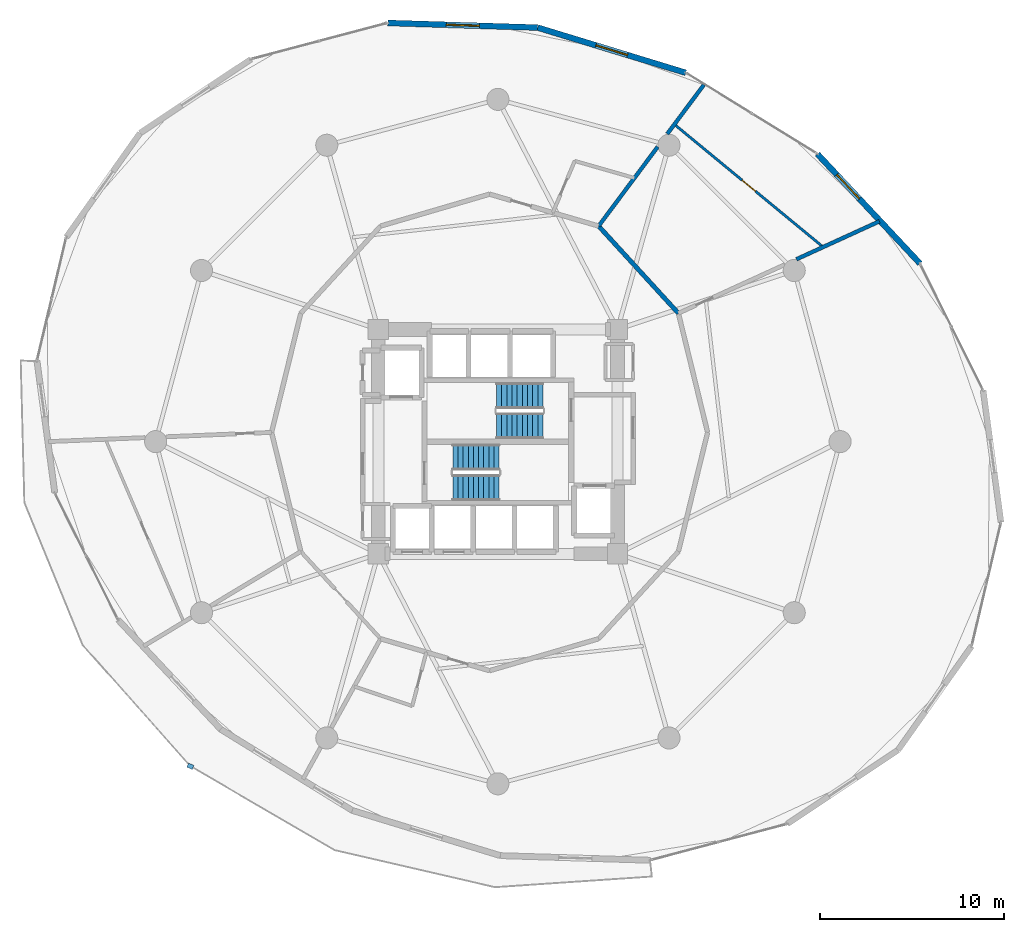
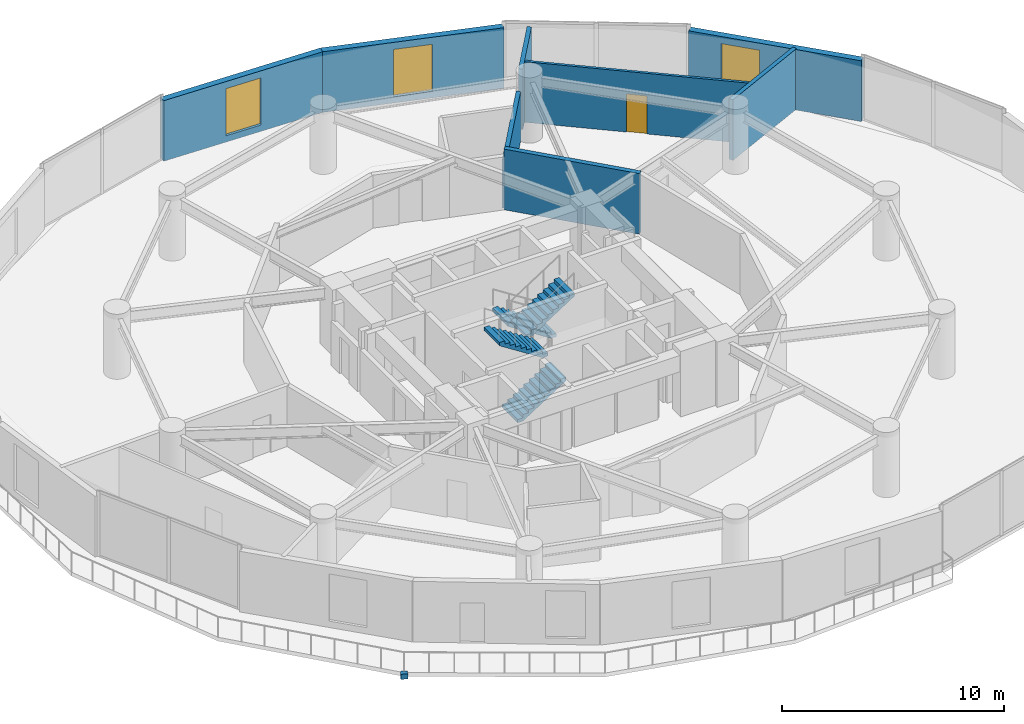
# One storey, part 21 of 24: 8 walls, 4 stair flights, 3 windows, 1 discrete accessory, 1 door, 4 openings, 2 elements without a shape of their own.
"""IFC4 building model written with IfcOpenShell, lengths in metres."""

import ifcopenshell
import ifcopenshell.guid

model = None  # the IFC model being written
_history = None  # IfcOwnerHistory: only IFC2X3 demands one
_inside = {}  # id of a spatial element -> (the spatial element, [elements in it])
_under = {}  # id of a project, library or spatial element -> (it, [spatial elements below it])
_declared = {}  # id of a project -> (the project, [libraries it declares])
_typed = {}  # id of a type object -> (the type object, [elements of that type])
_made_of = {}  # id of a material, layer set ... -> (it, [elements and type objects made of it])


def new_model(schema):
    """Start an empty IFC model of exactly this schema.

    Asked for "IFC4X3", IfcOpenShell would pick the latest addendum, in which some entities
    have other attributes; the version numbers below select the first issue.
    IFC2X3 requires an IfcOwnerHistory on every rooted entity: one is made here for all.
    """
    global model, _history
    if schema == "IFC4X3":
        model = ifcopenshell.file(schema_version=(4, 3, 0, 0))
    else:
        model = ifcopenshell.file(schema=schema)
    _inside.clear()
    _under.clear()
    _declared.clear()
    _typed.clear()
    _made_of.clear()
    _history = None
    if model.schema == "IFC2X3":
        org = make("IfcOrganization", Name="unknown")
        user = make(
            "IfcPersonAndOrganization",
            ThePerson=make("IfcPerson", FamilyName="unknown"),
            TheOrganization=org,
        )
        app = make(
            "IfcApplication",
            ApplicationDeveloper=org,
            Version="unknown",
            ApplicationFullName="unknown",
            ApplicationIdentifier="unknown",
        )
        _history = make(
            "IfcOwnerHistory",
            OwningUser=user,
            OwningApplication=app,
            ChangeAction="ADDED",
            CreationDate=0,
        )
    return model


def make(cls, **values):
    """One entity of the class cls with the attributes given. An attribute that is None is left unset."""
    return model.create_entity(
        cls, **{name: value for name, value in values.items() if value is not None}
    )


def rooted(cls, **values):
    """An entity with a GlobalId (a new one), such as an element, a storey or a relation."""
    return make(cls, GlobalId=ifcopenshell.guid.new(), OwnerHistory=_history, **values)


def si_unit(unit_type, name, prefix=None):
    """IfcSIUnit, for example si_unit("LENGTHUNIT", "METRE", prefix="MILLI")."""
    return make("IfcSIUnit", UnitType=unit_type, Prefix=prefix, Name=name)


def assignment(units):
    """IfcUnitAssignment: the units of a project."""
    return None if units is None else make("IfcUnitAssignment", Units=units)


def point(xyz):
    """IfcCartesianPoint."""
    return None if xyz is None else make("IfcCartesianPoint", Coordinates=xyz)


def direction(xyz):
    """IfcDirection."""
    return None if xyz is None else make("IfcDirection", DirectionRatios=xyz)


def frame(location, z_axis=None, x_axis=None):
    """IfcAxis2Placement3D, a coordinate frame: its origin and axes. An axis left out is left unset."""
    return make(
        "IfcAxis2Placement3D",
        Location=point(location),
        Axis=direction(z_axis),
        RefDirection=direction(x_axis),
    )


def frame_2d(location, x_axis=None):
    """IfcAxis2Placement2D, a coordinate frame in the plane: its origin and x axis."""
    return make(
        "IfcAxis2Placement2D", Location=point(location), RefDirection=direction(x_axis)
    )


def origin():
    """The frame at (0, 0, 0) with its axes left unset."""
    return frame((0.0, 0.0, 0.0))


def origin_2d():
    """The frame at (0, 0) in the plane with its x axis left unset."""
    return frame_2d((0.0, 0.0))


def place(relative_to, where):
    """IfcLocalPlacement: puts the frame where relative to a parent placement (None: the world)."""
    return make(
        "IfcLocalPlacement", PlacementRelTo=relative_to, RelativePlacement=where
    )


def context(
    kind, dimensions, precision=None, world=None, true_north=None, identifier=None
):
    """IfcGeometricRepresentationContext, for example the 3D "Model" context."""
    return make(
        "IfcGeometricRepresentationContext",
        ContextIdentifier=identifier,
        ContextType=kind,
        CoordinateSpaceDimension=dimensions,
        Precision=precision,
        WorldCoordinateSystem=world,
        TrueNorth=true_north,
    )


def subcontext(parent, identifier, kind, view, scale=None):
    """IfcGeometricRepresentationSubContext, for example "Body" below "Model"."""
    return make(
        "IfcGeometricRepresentationSubContext",
        ContextIdentifier=identifier,
        ContextType=kind,
        ParentContext=parent,
        TargetScale=scale,
        TargetView=view,
    )


def project(units=None, contexts=None):
    """IfcProject with its units and contexts."""
    return rooted(
        "IfcProject",
        Name="project",
        RepresentationContexts=contexts,
        UnitsInContext=assignment(units),
    )


def spatial(cls, under=None, at=None, **own):
    """A site, building, storey or space (cls), placed at a placement, below another one or the project."""
    s = rooted(cls, ObjectPlacement=at, **own)
    if under is not None:
        _under.setdefault(under.id(), (under, []))[1].append(s)
    return s


def polyline(points):
    """IfcPolyline through the points."""
    return make("IfcPolyline", Points=[point(p) for p in points])


def profile(cls, at=None, kind="AREA", **sizes):
    """A parametric profile (cls). Its sizes go by their IFC names, for example OverallWidth=200.0."""
    return make(cls, ProfileType=kind, Position=at, **sizes)


def rectangle(**sizes):
    """IfcRectangleProfileDef."""
    return profile("IfcRectangleProfileDef", **sizes)


def outline(outer, holes=None, kind="AREA"):
    """IfcArbitraryClosedProfileDef: a profile drawn as a closed curve; with holes, ...WithVoids."""
    if holes is None:
        return make("IfcArbitraryClosedProfileDef", ProfileType=kind, OuterCurve=outer)
    return make(
        "IfcArbitraryProfileDefWithVoids",
        ProfileType=kind,
        OuterCurve=outer,
        InnerCurves=holes,
    )


def extrude(swept, where, along, depth):
    """IfcExtrudedAreaSolid: the profile swept, set in the frame where, extruded along a direction by depth."""
    return make(
        "IfcExtrudedAreaSolid",
        SweptArea=swept,
        Position=where,
        ExtrudedDirection=direction(along),
        Depth=depth,
    )


def shape(context_of_items, identifier, shape_type, items):
    """IfcShapeRepresentation: the items that make up one representation, for example the "Body"."""
    return make(
        "IfcShapeRepresentation",
        ContextOfItems=context_of_items,
        RepresentationIdentifier=identifier,
        RepresentationType=shape_type,
        Items=items,
    )


def material(Name=None, Category=None):
    """IfcMaterial."""
    return make("IfcMaterial", Name=Name, Category=Category)


def layer(
    of_material, thickness, ventilated=None, Name=None, Category=None, Priority=None
):
    """IfcMaterialLayer: one layer of a wall or slab, of a material (None: an air gap)."""
    return make(
        "IfcMaterialLayer",
        Material=of_material,
        LayerThickness=thickness,
        IsVentilated=ventilated,
        Name=Name,
        Category=Category,
        Priority=Priority,
    )


def layer_set(layers, Name=None):
    """IfcMaterialLayerSet."""
    return make("IfcMaterialLayerSet", MaterialLayers=layers, LayerSetName=Name)


def made_of(thing, what):
    """Note that an element or type object is made of a material, layer set ...; save() writes the relation."""
    if what is not None:
        _made_of.setdefault(what.id(), (what, []))[1].append(thing)
    return thing


def type_object(cls, material=None, **own):
    """A type object (cls), such as IfcWallType, which elements share."""
    return made_of(rooted(cls, **own), material)


def element(
    cls,
    number,
    at=None,
    inside=None,
    cuts=None,
    type_object=None,
    material=None,
    context=None,
    identifier="Body",
    shape_type=None,
    held_by="IfcProductDefinitionShape",
    body=None,
    shapes=None,
    **own,
):
    """One element of the class cls, such as IfcWall. Its Tag is "e" and its number.

    at: its placement. inside: the storey or other place that contains it. cuts: it is an
    opening in that element (IfcRelVoidsElement). A single representation is given by context,
    identifier, shape_type and body (its items); several are given by shapes. held_by: the class
    of the entity that holds the representations. save() writes the other relations.
    """
    e = rooted(cls, Tag="e%d" % number, ObjectPlacement=at, **own)
    if body is not None:
        shapes = [shape(context, identifier, shape_type, body)]
    if shapes is not None:
        e.Representation = make(held_by, Representations=shapes)
    if inside is not None:
        _inside.setdefault(inside.id(), (inside, []))[1].append(e)
    if cuts is not None:
        rooted(
            "IfcRelVoidsElement", RelatingBuildingElement=cuts, RelatedOpeningElement=e
        )
    if type_object is not None:
        _typed.setdefault(type_object.id(), (type_object, []))[1].append(e)
    return made_of(e, material)


def fill(opening, filler):
    """IfcRelFillsElement: the door or window that sits in an opening."""
    return rooted(
        "IfcRelFillsElement",
        RelatingOpeningElement=opening,
        RelatedBuildingElement=filler,
    )


def aggregate(whole, parts):
    """IfcRelAggregates: a whole, such as a stair, and the parts it consists of."""
    return rooted("IfcRelAggregates", RelatingObject=whole, RelatedObjects=parts)


def save(model, path):
    """Write the relations noted so far, then the file.

    IfcRelAggregates (storeys below a building ...), IfcRelContainedInSpatialStructure (elements
    in a storey), IfcRelDefinesByType, IfcRelAssociatesMaterial and IfcRelDeclares: one each for
    every whole, place, type object, material and project.
    """
    for whole, parts in _under.values():
        aggregate(whole, parts)
    for where, things in _inside.values():
        rooted(
            "IfcRelContainedInSpatialStructure",
            RelatedElements=things,
            RelatingStructure=where,
        )
    for kind, things in _typed.values():
        rooted("IfcRelDefinesByType", RelatedObjects=things, RelatingType=kind)
    for what, things in _made_of.values():
        rooted("IfcRelAssociatesMaterial", RelatedObjects=things, RelatingMaterial=what)
    for by, libraries in _declared.values():
        rooted("IfcRelDeclares", RelatingContext=by, RelatedDefinitions=libraries)
    model.write(path)


model = new_model("IFC4")

# Units and contexts
model_context = context("Model", 3, precision=1e-05, world=origin(), true_north=direction((0.0, 1.0)))
body_context = subcontext(model_context, "Body", "Model", "MODEL_VIEW")
ifc_project = project(units=[si_unit("LENGTHUNIT", "METRE"), si_unit("AREAUNIT", "SQUARE_METRE"), si_unit("VOLUMEUNIT", "CUBIC_METRE"), si_unit("PLANEANGLEUNIT", "RADIAN"), si_unit("MASSUNIT", "GRAM", prefix="KILO")], contexts=[model_context])

# Site, building, storey
site_placement = place(None, origin())
site = spatial("IfcSite", under=ifc_project, at=site_placement, CompositionType="ELEMENT")
building_placement = place(site_placement, origin())
building = spatial("IfcBuilding", under=site, at=building_placement, Name="Solvirekh Grand Hotel", CompositionType="ELEMENT")
storey_placement = place(building_placement, frame((0.0, 0.0, 86.0)))
storey = spatial("IfcBuildingStorey", under=building, at=storey_placement, Name="L21", CompositionType="ELEMENT", Elevation=86.0)

# Wall, opening, window
ifc_material_1 = material(Name="Precast concrete C45/55", Category="concrete")
ifc_layer_1 = layer(ifc_material_1, 0.320068359375)
ifc_layer_set_1 = layer_set([ifc_layer_1], Name="Precast concrete C45/55")
wall_type_1 = type_object("IfcWallType", Name="ExtLobbyWall_RC320", PredefinedType="SOLIDWALL", material=ifc_layer_set_1)
wall_1_placement = place(storey_placement, frame((17.3701171875, 15.6298828125, 0.0), z_axis=(0.0, 0.0, 1.0), x_axis=(0.683723849235, -0.729740843031, 0.0)))
wall_1 = element("IfcWall", 1, at=wall_1_placement, inside=storey, type_object=wall_type_1, Name="L21 exterior structural wall chord 4", PredefinedType="SOLIDWALL", context=body_context, shape_type="SweptSolid", body=[
    extrude(rectangle(XDim=8.149169921875, YDim=0.320068359375, at=frame_2d((4.07470703125, 0.0))), origin(), (0.0, 0.0, 1.0), 3.340087890625),
])
opening_1_placement = place(wall_1_placement, frame((1.535888671875, 0.0, 0.35009765625)))
opening_1 = element("IfcOpeningElement", 2, at=opening_1_placement, cuts=wall_1, Name="Opening W02", PredefinedType="OPENING", context=body_context, shape_type="SweptSolid", body=[
    extrude(rectangle(XDim=1.800048828125, YDim=2.60009765625, at=frame_2d((0.89990234375, 1.300048828125))), frame((0.0, 0.169921875, 0.0), z_axis=(0.0, -1.0, 0.0), x_axis=(1.0, 0.0, 0.0)), (0.0, 0.0, 1.0), 0.340087890625),
])
ifc_material_2 = material(Name="Low-E Tinted Bronze Laminated Glass", Category="aluminium")
window_type = type_object("IfcWindowType", Name="Win_LobbyExt_1800X2600", PartitioningType="SINGLE_PANEL", PredefinedType="WINDOW", material=ifc_material_2)
window_1_placement = place(opening_1_placement, origin())
window_1 = element("IfcWindow", 3, at=window_1_placement, inside=storey, type_object=window_type, Name="L21 panoramic bronze-framed window 4", OverallHeight=2.60009765625, OverallWidth=1.800048828125, PartitioningType="SINGLE_PANEL", PredefinedType="WINDOW", context=body_context, shape_type="SweptSolid", body=[
    extrude(rectangle(XDim=1.800048828125, YDim=2.60009765625, at=frame_2d((0.89990234375, 1.300048828125))), frame((0.0, 0.030029296875, 0.0), z_axis=(0.0, -1.0, 0.0), x_axis=(1.0, 0.0, 0.0)), (0.0, 0.0, 1.0), 0.06005859375),
])
fill(opening_1, window_1)

wall_2_placement = place(storey_placement, frame((2.1640625, 22.5029296875, 0.0), z_axis=(0.0, 0.0, 1.0), x_axis=(0.956472250056, -0.291823293917, 0.0)))
wall_2 = element("IfcWall", 4, at=wall_2_placement, inside=storey, type_object=wall_type_1, Name="L21 exterior structural wall chord 6", PredefinedType="SOLIDWALL", context=body_context, shape_type="SweptSolid", body=[
    extrude(rectangle(XDim=8.412109375, YDim=0.320068359375, at=frame_2d((4.2060546875, 0.0))), origin(), (0.0, 0.0, 1.0), 3.340087890625),
])
opening_2_placement = place(wall_2_placement, frame((3.305908203125, 0.0, 0.35009765625)))
opening_2 = element("IfcOpeningElement", 5, at=opening_2_placement, cuts=wall_2, Name="Opening W02", PredefinedType="OPENING", context=body_context, shape_type="SweptSolid", body=[
    extrude(rectangle(XDim=1.800048828125, YDim=2.60009765625, at=frame_2d((0.89990234375, 1.300048828125))), frame((0.0, 0.169921875, 0.0), z_axis=(0.0, -1.0, 0.0), x_axis=(1.0, 0.0, 0.0)), (0.0, 0.0, 1.0), 0.340087890625),
])
window_2_placement = place(opening_2_placement, origin())
window_2 = element("IfcWindow", 6, at=window_2_placement, inside=storey, type_object=window_type, Name="L21 panoramic bronze-framed window 6", OverallHeight=2.60009765625, OverallWidth=1.800048828125, PartitioningType="SINGLE_PANEL", PredefinedType="WINDOW", context=body_context, shape_type="SweptSolid", body=[
    extrude(rectangle(XDim=1.800048828125, YDim=2.60009765625, at=frame_2d((0.89990234375, 1.300048828125))), frame((0.0, 0.030029296875, 0.0), z_axis=(0.0, -1.0, 0.0), x_axis=(1.0, 0.0, 0.0)), (0.0, 0.0, 1.0), 0.06005859375),
])
fill(opening_2, window_2)

wall_3_placement = place(storey_placement, frame((-5.98193359375, 22.7548828125, 0.0), z_axis=(0.0, 0.0, 1.0), x_axis=(0.999522020088, -0.030914905135, 0.0)))
wall_3 = element("IfcWall", 7, at=wall_3_placement, inside=storey, type_object=wall_type_1, Name="L21 exterior structural wall chord 7", PredefinedType="SOLIDWALL", context=body_context, shape_type="SweptSolid", body=[
    extrude(rectangle(XDim=8.14990234375, YDim=0.320068359375, at=frame_2d((4.074951171875, 0.0))), origin(), (0.0, 0.0, 1.0), 3.340087890625),
])
opening_3_placement = place(wall_3_placement, frame((3.177978515625, 0.0, 0.35009765625)))
opening_3 = element("IfcOpeningElement", 8, at=opening_3_placement, cuts=wall_3, Name="Opening W02", PredefinedType="OPENING", context=body_context, shape_type="SweptSolid", body=[
    extrude(rectangle(XDim=1.800048828125, YDim=2.60009765625, at=frame_2d((0.89990234375, 1.300048828125))), frame((0.0, 0.169921875, 0.0), z_axis=(0.0, -1.0, 0.0), x_axis=(1.0, 0.0, 0.0)), (0.0, 0.0, 1.0), 0.340087890625),
])
window_3_placement = place(opening_3_placement, origin())
window_3 = element("IfcWindow", 9, at=window_3_placement, inside=storey, type_object=window_type, Name="L21 panoramic bronze-framed window 7", OverallHeight=2.60009765625, OverallWidth=1.800048828125, PartitioningType="SINGLE_PANEL", PredefinedType="WINDOW", context=body_context, shape_type="SweptSolid", body=[
    extrude(rectangle(XDim=1.800048828125, YDim=2.60009765625, at=frame_2d((0.89990234375, 1.300048828125))), frame((0.0, 0.030029296875, 0.0), z_axis=(0.0, -1.0, 0.0), x_axis=(1.0, 0.0, 0.0)), (0.0, 0.0, 1.0), 0.06005859375),
])
fill(opening_3, window_3)

# Wall
ifc_material_3 = material(Name="Acoustic Gypsum Partition Assembly")
ifc_layer_2 = layer(ifc_material_3, 0.239990234375)
ifc_layer_set_2 = layer_set([ifc_layer_2], Name="Acoustic Gypsum Partition Assembly")
wall_type_2 = type_object("IfcWallType", Name="Part_Corridor_240", PredefinedType="PARTITIONING", material=ifc_layer_set_2)
wall_4_placement = place(storey_placement, frame((9.81201171875, 6.97509765625, 0.0), z_axis=(0.0, 0.0, 1.0), x_axis=(-0.675041189424, 0.737780043496, 0.0)))
element("IfcWall", 10, at=wall_4_placement, inside=storey, type_object=wall_type_2, Name="L21 Presidential Suite 2301 Suite Foyer corridor enclosure wall", PredefinedType="PARTITIONING", context=body_context, shape_type="SweptSolid", body=[
    extrude(rectangle(XDim=6.424560546875, YDim=0.239990234375, at=frame_2d((3.21240234375, 0.0))), origin(), (0.0, 0.0, 1.0), 3.340087890625),
])

# Wall, opening, door
ifc_layer_3 = layer(ifc_material_3, 0.135009765625)
ifc_layer_set_3 = layer_set([ifc_layer_3], Name="Acoustic Gypsum Partition Assembly")
wall_type_3 = type_object("IfcWallType", Name="Part_RoomInt_135", PredefinedType="PARTITIONING", material=ifc_layer_set_3)
wall_5_placement = place(storey_placement, frame((17.680908203125, 10.574951171875, 0.0), z_axis=(0.0, 0.0, 1.0), x_axis=(-0.77159392409, 0.636115411154, 0.0)))
wall_5 = element("IfcWall", 11, at=wall_5_placement, inside=storey, type_object=wall_type_3, Name="L21 Presidential Suite 2301 Suite Foyer bedroom screen wall", PredefinedType="PARTITIONING", context=body_context, shape_type="SweptSolid", body=[
    extrude(rectangle(XDim=10.480712890625, YDim=0.135009765625, at=frame_2d((5.240234375, 0.0))), origin(), (0.0, 0.0, 1.0), 3.340087890625),
])
opening_4_placement = place(wall_5_placement, frame((4.764892578125, 0.0, 0.0)))
opening_4 = element("IfcOpeningElement", 12, at=opening_4_placement, cuts=wall_5, Name="Opening D10", PredefinedType="OPENING", context=body_context, shape_type="SweptSolid", body=[
    extrude(rectangle(XDim=0.949951171875, YDim=2.10009765625, at=frame_2d((0.47509765625, 1.050048828125))), frame((0.0, 0.07763671875, 0.0), z_axis=(0.0, -1.0, 0.0), x_axis=(1.0, 0.0, 0.0)), (0.0, 0.0, 1.0), 0.155029296875),
])
ifc_material_4 = material(Name="Anodized Bronze Aluminium 6063-T6", Category="aluminium")
door_type = type_object("IfcDoorType", Name="Door_RoomInt_950X2100", OperationType="NOTDEFINED", PredefinedType="DOOR", material=ifc_material_4)
door_placement = place(opening_4_placement, origin())
door = element("IfcDoor", 13, at=door_placement, inside=storey, type_object=door_type, Name="L21 Presidential Suite 2301 Suite Foyer master bedroom door", OperationType="SINGLE_SWING_RIGHT", OverallHeight=2.10009765625, OverallWidth=0.949951171875, PredefinedType="DOOR", context=body_context, shape_type="SweptSolid", body=[
    extrude(rectangle(XDim=0.949951171875, YDim=2.10009765625, at=frame_2d((0.47509765625, 1.050048828125))), frame((0.0, 0.02490234375, 0.0), z_axis=(0.0, -1.0, 0.0), x_axis=(1.0, 0.0, 0.0)), (0.0, 0.0, 1.0), 0.050048828125),
])
fill(opening_4, door)

# Walls
ifc_layer_4 = layer(ifc_material_3, 0.2099609375)
ifc_layer_set_4 = layer_set([ifc_layer_4], Name="Acoustic Gypsum Partition Assembly")
wall_type_4 = type_object("IfcWallType", Name="Part_SuiteDemise_210", PredefinedType="PARTITIONING", material=ifc_layer_set_4)
wall_6_placement = place(storey_placement, frame((16.22509765625, 9.908935546875, 0.0), z_axis=(0.0, 0.0, 1.0), x_axis=(0.909340055563, 0.416053678447, 0.0)))
element("IfcWall", 14, at=wall_6_placement, inside=storey, type_object=wall_type_4, Name="L21 suite radial wall 2 (B)", PredefinedType="PARTITIONING", context=body_context, shape_type="SweptSolid", body=[
    extrude(rectangle(XDim=4.966064453125, YDim=0.2099609375, at=frame_2d((2.48291015625, 0.0))), origin(), (0.0, 0.0, 1.0), 3.340087890625),
])
wall_7_placement = place(storey_placement, frame((5.47509765625, 11.715087890625, 0.0), z_axis=(0.0, 0.0, 1.0), x_axis=(0.597532875514, 0.801844413013, 0.0)))
element("IfcWall", 15, at=wall_7_placement, inside=storey, type_object=wall_type_4, Name="L21 suite radial wall 3 (A)", PredefinedType="PARTITIONING", context=body_context, shape_type="SweptSolid", body=[
    extrude(rectangle(XDim=5.373779296875, YDim=0.2099609375, at=frame_2d((2.68701171875, 0.0))), origin(), (0.0, 0.0, 1.0), 2.708984375),
])
wall_8_placement = place(storey_placement, frame((9.205078125, 16.720947265625, 0.0), z_axis=(0.0, 0.0, 1.0), x_axis=(0.597617135321, 0.801781615885, 0.0)))
element("IfcWall", 16, at=wall_8_placement, inside=storey, type_object=wall_type_4, Name="L21 suite radial wall 3 (B)", PredefinedType="PARTITIONING", context=body_context, shape_type="SweptSolid", body=[
    extrude(rectangle(XDim=3.33154296875, YDim=0.2099609375, at=frame_2d((1.665771484375, 0.0))), origin(), (0.0, 0.0, 1.0), 3.340087890625),
])

# Stair, stair flights
ifc_material_5 = material(Name="Concrete C40/50", Category="concrete")
stair_type = type_object("IfcStairType", Name="Stair_Core_1450", PredefinedType="HALF_TURN_STAIR", material=ifc_material_5)
stair_1_placement = place(storey_placement, origin())
stair_1 = element("IfcStair", 17, at=stair_1_placement, inside=storey, type_object=stair_type, Name="L21 Enclosed exit stair ST-1", PredefinedType="HALF_TURN_STAIR")
stair_flight_type = type_object("IfcStairFlightType", Name="Flight_Core_1450", PredefinedType="STRAIGHT", material=ifc_material_5)
stair_flight_1_placement = place(storey_placement, frame((-2.449951171875, -2.5, 0.0), z_axis=(0.0, 0.0, 1.0), x_axis=(1.0, 0.0, 0.0)))
stair_flight_1 = element("IfcStairFlight", 18, at=stair_flight_1_placement, type_object=stair_flight_type, Name="ST-1 flight 1", NumberOfRisers=10, NumberOfTreads=9, PredefinedType="STRAIGHT", RiserHeight=0.18, TreadLength=0.28, context=body_context, shape_type="SweptSolid", body=[
    extrude(outline(polyline([(0.0, 0.0), (0.0, 0.179931640625), (0.280029296875, 0.179931640625), (0.280029296875, 0.360107421875), (0.56005859375, 0.360107421875), (0.56005859375, 0.5400390625), (0.840087890625, 0.5400390625), (0.840087890625, 0.719970703125), (1.1201171875, 0.719970703125), (1.1201171875, 0.89990234375), (1.39990234375, 0.89990234375), (1.39990234375, 1.080078125), (1.679931640625, 1.080078125), (1.679931640625, 1.260009765625), (1.9599609375, 1.260009765625), (1.9599609375, 1.43994140625), (2.239990234375, 1.43994140625), (2.239990234375, 1.6201171875), (2.52001953125, 1.6201171875), (2.52001953125, 1.800048828125), (2.52001953125, 1.44189453125), (0.277099609375, 0.0), (0.0, 0.0)])), frame((0.0, 0.699951171875, 0.0), z_axis=(0.0, -1.0, 0.0), x_axis=(1.0, 0.0, 0.0)), (0.0, 0.0, 1.0), 1.39990234375),
])
stair_flight_2_placement = place(storey_placement, frame((0.070068359375, -0.85009765625, 1.800048828125), z_axis=(0.0, 0.0, 1.0), x_axis=(-1.0, 0.0, 0.0)))
stair_flight_2 = element("IfcStairFlight", 19, at=stair_flight_2_placement, type_object=stair_flight_type, Name="ST-1 flight 2", NumberOfRisers=10, NumberOfTreads=9, PredefinedType="STRAIGHT", RiserHeight=0.18, TreadLength=0.28, context=body_context, shape_type="SweptSolid", body=[
    extrude(outline(polyline([(0.0, 0.0), (0.0, 0.179931640625), (0.280029296875, 0.179931640625), (0.280029296875, 0.360107421875), (0.56005859375, 0.360107421875), (0.56005859375, 0.5400390625), (0.840087890625, 0.5400390625), (0.840087890625, 0.719970703125), (1.1201171875, 0.719970703125), (1.1201171875, 0.89990234375), (1.39990234375, 0.89990234375), (1.39990234375, 1.080078125), (1.679931640625, 1.080078125), (1.679931640625, 1.260009765625), (1.9599609375, 1.260009765625), (1.9599609375, 1.43994140625), (2.239990234375, 1.43994140625), (2.239990234375, 1.6201171875), (2.52001953125, 1.6201171875), (2.52001953125, 1.800048828125), (2.52001953125, 1.44189453125), (0.277099609375, 0.0), (0.0, 0.0)])), frame((0.0, 0.699951171875, 0.0), z_axis=(0.0, -1.0, 0.0), x_axis=(1.0, 0.0, 0.0)), (0.0, 0.0, 1.0), 1.39990234375),
])
aggregate(stair_1, [stair_flight_1, stair_flight_2])

stair_2_placement = place(storey_placement, origin())
stair_2 = element("IfcStair", 20, at=stair_2_placement, inside=storey, type_object=stair_type, Name="L21 Enclosed exit stair ST-2", PredefinedType="HALF_TURN_STAIR")
stair_flight_3_placement = place(storey_placement, frame((2.449951171875, 2.5, 0.0), z_axis=(0.0, 0.0, 1.0), x_axis=(-1.0, 0.0, 0.0)))
stair_flight_3 = element("IfcStairFlight", 21, at=stair_flight_3_placement, type_object=stair_flight_type, Name="ST-2 flight 1", NumberOfRisers=10, NumberOfTreads=9, PredefinedType="STRAIGHT", RiserHeight=0.18, TreadLength=0.28, context=body_context, shape_type="SweptSolid", body=[
    extrude(outline(polyline([(0.0, 0.0), (0.0, 0.179931640625), (0.280029296875, 0.179931640625), (0.280029296875, 0.360107421875), (0.56005859375, 0.360107421875), (0.56005859375, 0.5400390625), (0.840087890625, 0.5400390625), (0.840087890625, 0.719970703125), (1.1201171875, 0.719970703125), (1.1201171875, 0.89990234375), (1.39990234375, 0.89990234375), (1.39990234375, 1.080078125), (1.679931640625, 1.080078125), (1.679931640625, 1.260009765625), (1.9599609375, 1.260009765625), (1.9599609375, 1.43994140625), (2.239990234375, 1.43994140625), (2.239990234375, 1.6201171875), (2.52001953125, 1.6201171875), (2.52001953125, 1.800048828125), (2.52001953125, 1.44189453125), (0.277099609375, 0.0), (0.0, 0.0)])), frame((0.0, 0.699951171875, 0.0), z_axis=(0.0, -1.0, 0.0), x_axis=(1.0, 0.0, 0.0)), (0.0, 0.0, 1.0), 1.39990234375),
])
stair_flight_4_placement = place(storey_placement, frame((-0.070068359375, 0.85009765625, 1.800048828125), z_axis=(0.0, 0.0, 1.0), x_axis=(1.0, 0.0, 0.0)))
stair_flight_4 = element("IfcStairFlight", 22, at=stair_flight_4_placement, type_object=stair_flight_type, Name="ST-2 flight 2", NumberOfRisers=10, NumberOfTreads=9, PredefinedType="STRAIGHT", RiserHeight=0.18, TreadLength=0.28, context=body_context, shape_type="SweptSolid", body=[
    extrude(outline(polyline([(0.0, 0.0), (0.0, 0.179931640625), (0.280029296875, 0.179931640625), (0.280029296875, 0.360107421875), (0.56005859375, 0.360107421875), (0.56005859375, 0.5400390625), (0.840087890625, 0.5400390625), (0.840087890625, 0.719970703125), (1.1201171875, 0.719970703125), (1.1201171875, 0.89990234375), (1.39990234375, 0.89990234375), (1.39990234375, 1.080078125), (1.679931640625, 1.080078125), (1.679931640625, 1.260009765625), (1.9599609375, 1.260009765625), (1.9599609375, 1.43994140625), (2.239990234375, 1.43994140625), (2.239990234375, 1.6201171875), (2.52001953125, 1.6201171875), (2.52001953125, 1.800048828125), (2.52001953125, 1.44189453125), (0.277099609375, 0.0), (0.0, 0.0)])), frame((0.0, 0.699951171875, 0.0), z_axis=(0.0, -1.0, 0.0), x_axis=(1.0, 0.0, 0.0)), (0.0, 0.0, 1.0), 1.39990234375),
])
aggregate(stair_2, [stair_flight_3, stair_flight_4])

# Discrete accessory
ifc_material_6 = material(Name="Steel S355", Category="steel")
discrete_accessory_type = type_object("IfcDiscreteAccessoryType", Name="Acc_ThermalBracket", PredefinedType="BRACKET", material=ifc_material_6)
discrete_accessory_placement = place(storey_placement, frame((-16.7109375, -17.64697265625, -0.27978515625), z_axis=(0.0, 0.0, 1.0), x_axis=(0.911403276635, -0.411514358605, 0.0)))
element("IfcDiscreteAccessory", 23, at=discrete_accessory_placement, inside=storey, type_object=discrete_accessory_type, Name="L21 balcony thermal-break bracket", PredefinedType="BRACKET", context=body_context, shape_type="SweptSolid", body=[
    extrude(rectangle(XDim=0.320068359375, YDim=0.239990234375, at=origin_2d()), origin(), (0.0, 0.0, 1.0), 0.280029296875),
])

save(model, "model.ifc")
